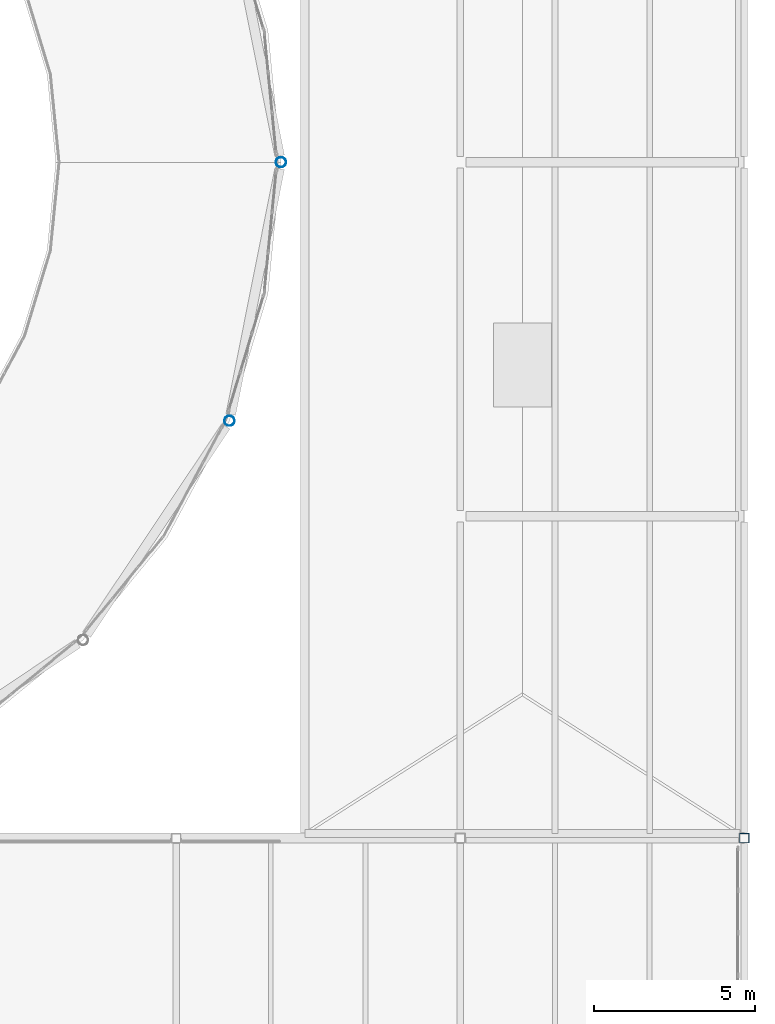
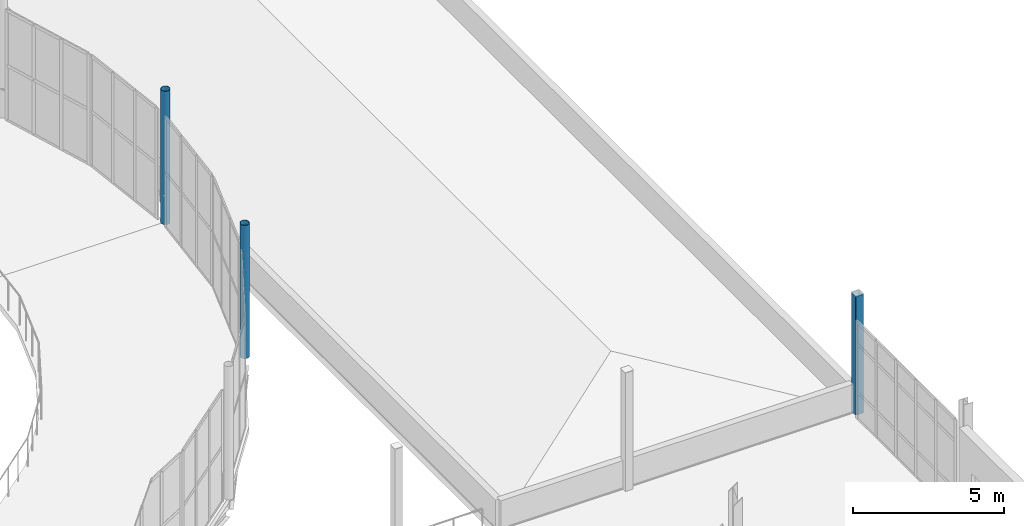
# One storey, part 16 of 112: 3 columns.
"""IFC4 building model written with IfcOpenShell, lengths in metres."""

from ifc_helpers import new_model, si_unit, direction, frame, origin, origin_2d, place, context, subcontext, project, spatial, hollow_rectangle, hollow_circle, extrude, material, material_profile, profile_set, type_object, element, save


model = new_model("IFC4")

# Units and contexts
model_context = context("Model", 3, precision=1e-05, world=origin(), true_north=direction((0.0, 1.0)))
body_context = subcontext(model_context, "Body", "Model", "MODEL_VIEW")
ifc_project = project(units=[si_unit("LENGTHUNIT", "METRE"), si_unit("AREAUNIT", "SQUARE_METRE"), si_unit("VOLUMEUNIT", "CUBIC_METRE"), si_unit("PLANEANGLEUNIT", "RADIAN"), si_unit("MASSUNIT", "GRAM", prefix="KILO")], contexts=[model_context])

# Site, building, storey
site_placement = place(None, origin())
site = spatial("IfcSite", under=ifc_project, at=site_placement, CompositionType="ELEMENT")
building_placement = place(site_placement, origin())
building = spatial("IfcBuilding", under=site, at=building_placement, Name="Yeouljin Market Hall", CompositionType="ELEMENT")
storey_placement = place(building_placement, frame((0.0, 0.0, 6.0)))
storey = spatial("IfcBuildingStorey", under=building, at=storey_placement, Name="L01", CompositionType="ELEMENT", Elevation=6.0)

# Columns
ifc_material_1 = material(Name="Steel SM355", Category="steel")
ifc_material_profile_1 = material_profile(ifc_material_1, hollow_circle(Radius=0.1591796875, WallThickness=0.010009765625, at=origin_2d()), Name="CHS-318.5x10")
ifc_profile_set_1 = profile_set([ifc_material_profile_1], Name="Steel SM355")
column_type_1 = type_object("IfcColumnType", Name="Col_CHS-318.5x10", PredefinedType="COLUMN", material=ifc_profile_set_1)
for number, where, z_axis, x_axis, name in (
    (1, (160.401611328125, 48.963623046875, 0.0), (0.0, 0.0, 1.0), (1.0, 0.0, 0.0), "Column AP-E06 (L01)"),
    (2, (162.0, 57.0, 0.0), (0.0, 0.0, 1.0), (1.0, 0.0, 0.0), "Column AP-E08 (L01)"),
):
    element("IfcColumn", number, at=place(storey_placement, frame(where, z_axis=z_axis, x_axis=x_axis)), inside=storey, type_object=column_type_1, Name=name, PredefinedType="COLUMN", context=body_context, shape_type="SweptSolid", body=[
        extrude(hollow_circle(Radius=0.1591796875, WallThickness=0.010009765625, at=origin_2d()), origin(), (0.0, 0.0, 1.0), 5.39990234375),
    ])
ifc_material_2 = material(Name="Steel SM355", Category="steel")
ifc_material_profile_2 = material_profile(ifc_material_2, hollow_rectangle(XDim=0.300048828125, YDim=0.300048828125, WallThickness=0.010009765625, InnerFilletRadius=0.010009765625, OuterFilletRadius=0.01611328125, at=origin_2d()), Name="SHS-300x300x10")
ifc_profile_set_2 = profile_set([ifc_material_profile_2], Name="Steel SM355")
column_type_2 = type_object("IfcColumnType", Name="Col_SHS-300x300x10", PredefinedType="COLUMN", material=ifc_profile_set_2)
column_placement = place(storey_placement, frame((176.39990234375, 36.0, 0.0), z_axis=(0.0, 0.0, 1.0), x_axis=(1.0, 0.0, 0.0)))
element("IfcColumn", 3, at=column_placement, inside=storey, type_object=column_type_2, Name="Column G-21-04 (L01)", PredefinedType="COLUMN", context=body_context, shape_type="SweptSolid", body=[
    extrude(hollow_rectangle(XDim=0.300048828125, YDim=0.300048828125, WallThickness=0.010009765625, InnerFilletRadius=0.010009765625, OuterFilletRadius=0.01611328125, at=origin_2d()), origin(), (0.0, 0.0, 1.0), 4.800048828125),
])

save(model, "model.ifc")
